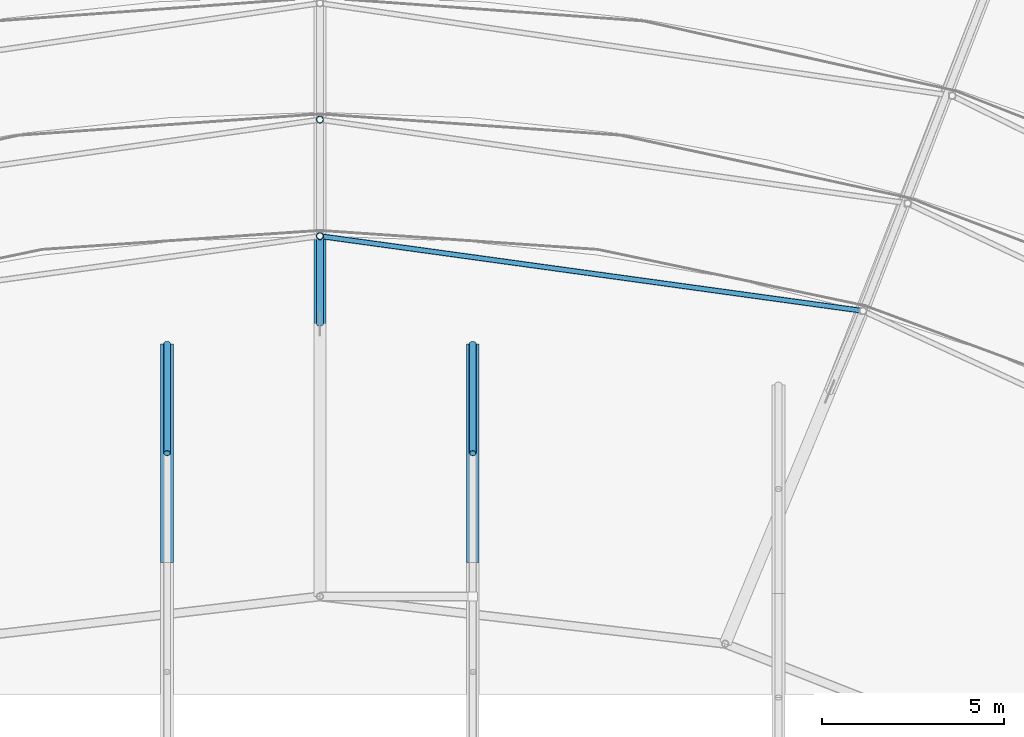
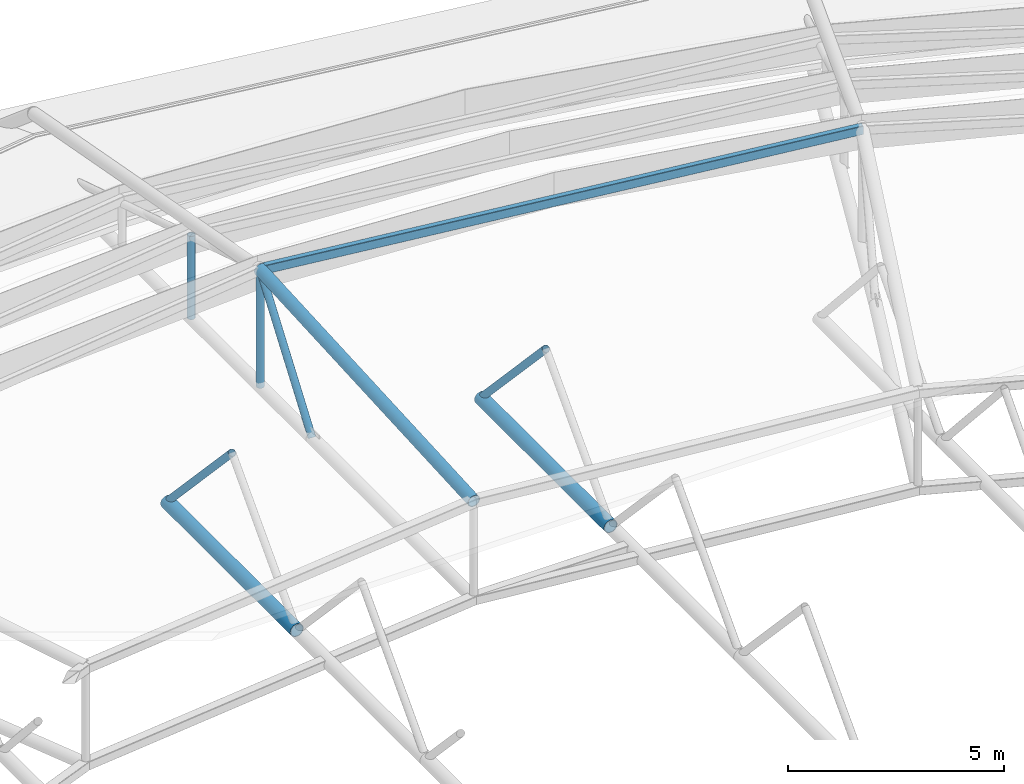
# One storey, part 44 of 134: 8 members, 1 beam.
"""IFC4 building model written with IfcOpenShell, lengths in metres."""

from ifc_helpers import new_model, si_unit, derived_unit, direction, frame, origin, origin_2d, place, context, subcontext, project, spatial, hollow_rectangle, hollow_circle, extrude, material, material_profile, profile_set, type_object, element, save


model = new_model("IFC4")

# Units and contexts
model_context = context("Model", 3, precision=1e-05, world=origin(), true_north=direction((0.0, 1.0)))
body_context = subcontext(model_context, "Body", "Model", "MODEL_VIEW")
ifc_project = project(units=[si_unit("LENGTHUNIT", "METRE"), si_unit("AREAUNIT", "SQUARE_METRE"), si_unit("VOLUMEUNIT", "CUBIC_METRE"), si_unit("PLANEANGLEUNIT", "RADIAN"), si_unit("MASSUNIT", "GRAM", prefix="KILO"), derived_unit("THERMALTRANSMITTANCEUNIT", [(si_unit("MASSUNIT", "GRAM", prefix="KILO"), 1), (si_unit("TIMEUNIT", "SECOND"), -3), (si_unit("THERMODYNAMICTEMPERATUREUNIT", "KELVIN"), -1)])], contexts=[model_context])

# Site, building, storey
site_placement = place(None, origin())
site = spatial("IfcSite", under=ifc_project, at=site_placement, CompositionType="ELEMENT")
building_placement = place(site_placement, origin())
building = spatial("IfcBuilding", under=site, at=building_placement, Name="Kharveza Railside Sports Centre", CompositionType="ELEMENT")
storey_placement = place(building_placement, frame((0.0, 0.0, 12.89990234375)))
storey = spatial("IfcBuildingStorey", under=building, at=storey_placement, Name="L03", CompositionType="ELEMENT", Elevation=12.89990234375)

# Beam
ifc_material = material(Name="Steel S355J2", Category="steel")
ifc_material_profile_1 = material_profile(ifc_material, hollow_rectangle(XDim=0.14990234375, YDim=0.25, WallThickness=0.010009765625, InnerFilletRadius=0.010009765625, OuterFilletRadius=0.02001953125, at=origin_2d()), Name="RHS 150x250x10.0")
ifc_profile_set_1 = profile_set([ifc_material_profile_1], Name="Steel S355J2")
beam_type = type_object("IfcBeamType", Name="BM-SP04", PredefinedType="SPANDREL", material=ifc_profile_set_1)
beam_placement = place(storey_placement, frame((69.524658203125, 75.3447265625, 3.255126953125), z_axis=(-0.990651511089, 0.136416947545, 0.0), x_axis=(-0.136416947545, -0.990651511089, 0.0)))
element("IfcBeam", 1, at=beam_placement, inside=storey, type_object=beam_type, Name="BM-LIDRING-S4-04", PredefinedType="SPANDREL", context=body_context, shape_type="SweptSolid", body=[
    extrude(hollow_rectangle(XDim=0.14990234375, YDim=0.25, WallThickness=0.010009765625, InnerFilletRadius=0.010009765625, OuterFilletRadius=0.02001953125, at=origin_2d()), origin(), (0.0, 0.0, 1.0), 15.0654296875),
])

# Members
ifc_material_profile_2 = material_profile(ifc_material, hollow_circle(Radius=0.177734375, WallThickness=0.01611328125, at=origin_2d()), Name="CHS 355.6x16.0")
ifc_profile_set_2 = profile_set([ifc_material_profile_2], Name="Steel S355J2")
member_type_1 = type_object("IfcMemberType", Name="MB-CH01", PredefinedType="CHORD", material=ifc_profile_set_2)
for number, where, z_axis, x_axis, name in (
    (2, (50.39990234375, 68.428955078125, -0.0498046875), (0.0, 1.0, 0.0), (-1.0, 0.0, 0.0), "MB-V1TR-BC-3-8"),
    (3, (58.800048828125, 68.428955078125, -0.0498046875), (0.0, 1.0, 0.0), (-1.0, 0.0, 0.0), "MB-V1TR-BC-4-8"),
):
    element("IfcMember", number, at=place(storey_placement, frame(where, z_axis=z_axis, x_axis=x_axis)), inside=storey, type_object=member_type_1, Name=name, PredefinedType="CHORD", context=body_context, shape_type="SweptSolid", body=[
        extrude(hollow_circle(Radius=0.177734375, WallThickness=0.01611328125, at=origin_2d()), origin(), (0.0, 0.0, 1.0), 6.009521484375),
    ])
ifc_material_profile_3 = material_profile(ifc_material, hollow_circle(Radius=0.161865234375, WallThickness=0.01611328125, at=origin_2d()), Name="CHS 323.9x16.0")
ifc_profile_set_3 = profile_set([ifc_material_profile_3], Name="Steel S355J2")
member_type_2 = type_object("IfcMemberType", Name="MB-CH02", PredefinedType="CHORD", material=ifc_profile_set_3)
member_1_placement = place(storey_placement, frame((54.60009765625, 67.5, 2.7001953125), z_axis=(0.0, 0.998461413705, 0.055450927341), x_axis=(-1.0, 0.0, 0.0)))
element("IfcMember", 4, at=member_1_placement, inside=storey, type_object=member_type_2, Name="MB-OUT-TC1-05", PredefinedType="CHORD", context=body_context, shape_type="SweptSolid", body=[
    extrude(hollow_circle(Radius=0.161865234375, WallThickness=0.01611328125, at=origin_2d()), origin(), (0.0, 0.0, 1.0), 9.9150390625),
])
ifc_material_profile_4 = material_profile(ifc_material, hollow_circle(Radius=0.096923828125, WallThickness=0.010009765625, at=origin_2d()), Name="CHS 193.7x10.0")
ifc_profile_set_4 = profile_set([ifc_material_profile_4], Name="Steel S355J2")
member_type_3 = type_object("IfcMemberType", Name="MB-ST02", PredefinedType="STRUT", material=ifc_profile_set_4)
member_2_placement = place(storey_placement, frame((54.60009765625, 80.60009765625, -0.0498046875), z_axis=(0.0, 0.0, 1.0), x_axis=(1.0, 0.0, 0.0)))
element("IfcMember", 5, at=member_2_placement, inside=storey, type_object=member_type_3, Name="MB-LIDPOST-S3-05", PredefinedType="STRUT", context=body_context, shape_type="SweptSolid", body=[
    extrude(hollow_circle(Radius=0.096923828125, WallThickness=0.010009765625, at=origin_2d()), origin(), (0.0, 0.0, 1.0), 2.35498046875),
])
member_3_placement = place(storey_placement, frame((54.60009765625, 77.39990234375, -0.0498046875), z_axis=(0.0, 0.0, 1.0), x_axis=(1.0, 0.0, 0.0)))
element("IfcMember", 6, at=member_3_placement, inside=storey, type_object=member_type_3, Name="MB-LIDPOST-S4-05", PredefinedType="STRUT", context=body_context, shape_type="SweptSolid", body=[
    extrude(hollow_circle(Radius=0.096923828125, WallThickness=0.010009765625, at=origin_2d()), origin(), (0.0, 0.0, 1.0), 3.304931640625),
])
member_4_placement = place(storey_placement, frame((54.60009765625, 75.0, -0.0498046875), z_axis=(0.0, 0.588178813175, 0.808730909346), x_axis=(-1.0, 0.0, 0.0)))
element("IfcMember", 7, at=member_4_placement, inside=storey, type_object=member_type_3, Name="MB-OUT-WEB-05-2", PredefinedType="STRUT", context=body_context, shape_type="SweptSolid", body=[
    extrude(hollow_circle(Radius=0.096923828125, WallThickness=0.010009765625, at=origin_2d()), origin(), (0.0, 0.0, 1.0), 4.080322265625),
])
for number, where, z_axis, x_axis, name in (
    (8, (50.39990234375, 71.43359375, 3.150146484375), (0.0, 0.684538468084, -0.728976738802), (-1.0, 0.0, 0.0), "MB-V1TR-D2-3-8"),
    (9, (58.800048828125, 71.43359375, 3.150146484375), (0.0, 0.684538468084, -0.728976738802), (-1.0, 0.0, 0.0), "MB-V1TR-D2-4-8"),
):
    element("IfcMember", number, at=place(storey_placement, frame(where, z_axis=z_axis, x_axis=x_axis)), inside=storey, type_object=member_type_3, Name=name, PredefinedType="STRUT", context=body_context, shape_type="SweptSolid", body=[
        extrude(hollow_circle(Radius=0.096923828125, WallThickness=0.010009765625, at=origin_2d()), origin(), (0.0, 0.0, 1.0), 4.3896484375),
    ])

save(model, "model.ifc")
